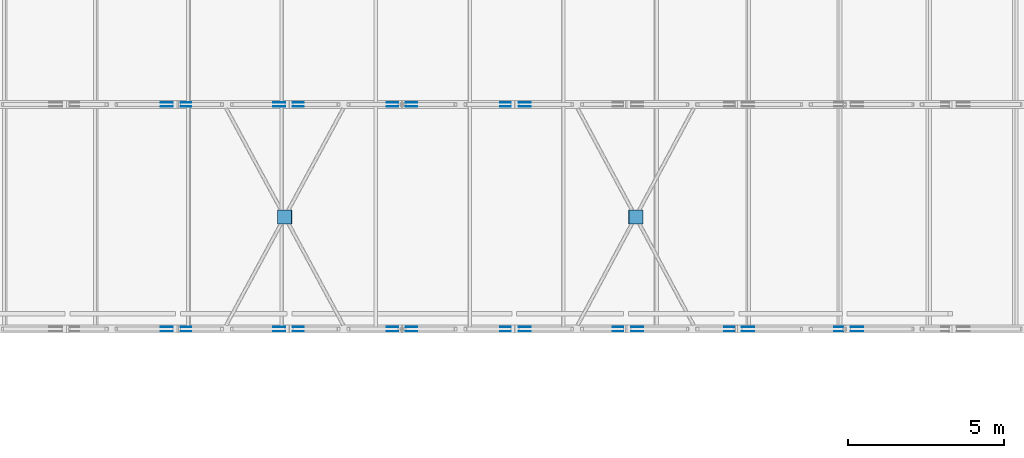
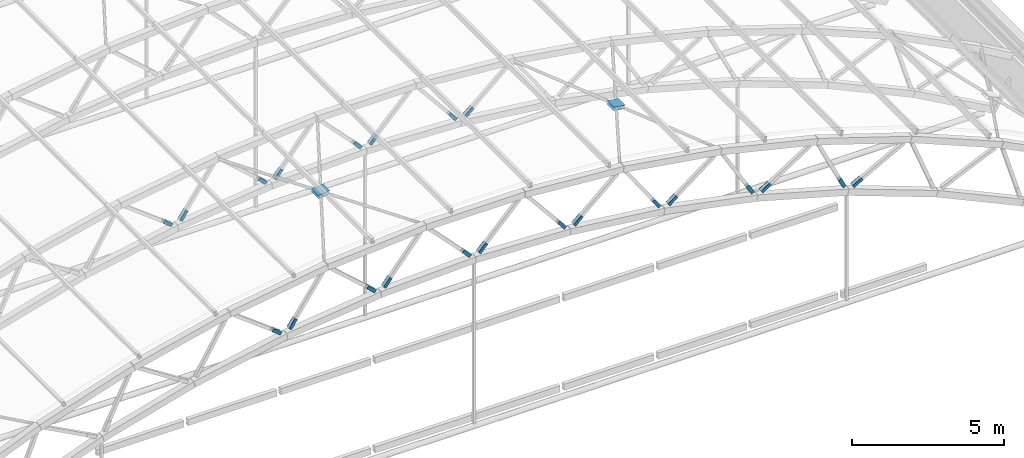
# One storey, part 86 of 127: 48 discrete accessories.
"""IFC4 building model written with IfcOpenShell, lengths in metres."""

from ifc_helpers import new_model, si_unit, direction, frame, origin, origin_2d, place, context, subcontext, project, spatial, rectangle, extrude, material, material_profile, profile_set, type_object, element, save


model = new_model("IFC4")

# Units and contexts
model_context = context("Model", 3, precision=1e-05, world=origin(), true_north=direction((0.0, 1.0)))
body_context = subcontext(model_context, "Body", "Model", "MODEL_VIEW")
ifc_project = project(units=[si_unit("LENGTHUNIT", "METRE"), si_unit("AREAUNIT", "SQUARE_METRE"), si_unit("VOLUMEUNIT", "CUBIC_METRE"), si_unit("PLANEANGLEUNIT", "RADIAN"), si_unit("MASSUNIT", "GRAM", prefix="KILO")], contexts=[model_context])

# Site, building, storey
site_placement = place(None, origin())
site = spatial("IfcSite", under=ifc_project, at=site_placement, CompositionType="ELEMENT")
building_placement = place(site_placement, origin())
building = spatial("IfcBuilding", under=site, at=building_placement, Name="Verrick Yard Athletic Hall", CompositionType="ELEMENT")
storey_placement = place(building_placement, frame((0.0, 0.0, 14.0)))
storey = spatial("IfcBuildingStorey", under=building, at=storey_placement, Name="L03", CompositionType="ELEMENT", Elevation=14.0)

# Discrete accessories
ifc_material = material(Name="Structural steel 350W (CSA G40.21)", Category="steel")
ifc_material_profile_1 = material_profile(ifc_material, rectangle(XDim=0.39990234375, YDim=0.126953125, at=origin_2d()), Name="Brace end cheek plate")
ifc_profile_set_1 = profile_set([ifc_material_profile_1], Name="Structural steel 350W (CSA G40.21)")
discrete_accessory_type_1 = type_object("IfcDiscreteAccessoryType", Name="Brace end cheek plate 400x127x12", PredefinedType="BRACKET", material=ifc_profile_set_1)
for number, where, z_axis, x_axis, name in (
    (1, (44.458251953125, 71.9365234375, 6.464111328125), (0.0, -1.0, 0.0), (-0.796193473644, 0.0, 0.605042108061), "Truss web end plate TB1-10 1"),
    (2, (44.458251953125, 72.0634765625, 6.464111328125), (0.0, 1.0, 0.0), (-0.796193473644, 0.0, 0.605042108061), "Truss web end plate TB1-10 2"),
    (3, (45.07177734375, 72.0634765625, 6.56103515625), (0.0, 1.0, 0.0), (0.570674326681, 0.0, 0.821176480951), "Truss web end plate TB1-11 1"),
    (4, (45.07177734375, 71.9365234375, 6.56103515625), (0.0, -1.0, 0.0), (0.570674326681, 0.0, 0.821176480951), "Truss web end plate TB1-11 2"),
    (5, (48.061767578125, 71.9365234375, 6.91455078125), (0.0, -1.0, 0.0), (-0.746352356768, 0.0, 0.665551019492), "Truss web end plate TB1-12 1"),
    (6, (48.061767578125, 72.0634765625, 6.91455078125), (0.0, 1.0, 0.0), (-0.746352356768, 0.0, 0.665551019492), "Truss web end plate TB1-12 2"),
    (7, (48.680908203125, 72.0634765625, 6.963134765625), (0.0, 1.0, 0.0), (0.633245761862, 0.0, 0.773950776913), "Truss web end plate TB1-13 1"),
    (8, (48.680908203125, 71.9365234375, 6.963134765625), (0.0, -1.0, 0.0), (0.633245761862, 0.0, 0.773950776913), "Truss web end plate TB1-13 2"),
    (9, (51.689453125, 71.9365234375, 7.0810546875), (0.0, -1.0, 0.0), (-0.691925275628, 0.0, 0.721969121879), "Truss web end plate TB1-14 1"),
    (10, (51.689453125, 72.0634765625, 7.0810546875), (0.0, 1.0, 0.0), (-0.691925275628, 0.0, 0.721969121879), "Truss web end plate TB1-14 2"),
    (11, (52.310546875, 72.0634765625, 7.0810546875), (0.0, 1.0, 0.0), (0.691925275628, 0.0, 0.721969121879), "Truss web end plate TB1-15 1"),
    (12, (52.310546875, 71.9365234375, 7.0810546875), (0.0, -1.0, 0.0), (0.691925275628, 0.0, 0.721969121879), "Truss web end plate TB1-15 2"),
    (13, (55.319091796875, 71.9365234375, 6.963134765625), (0.0, -1.0, 0.0), (-0.633245761862, 0.0, 0.773950776913), "Truss web end plate TB1-16 1"),
    (14, (55.319091796875, 72.0634765625, 6.963134765625), (0.0, 1.0, 0.0), (-0.633245761862, 0.0, 0.773950776913), "Truss web end plate TB1-16 2"),
    (15, (55.938232421875, 72.0634765625, 6.91455078125), (0.0, 1.0, 0.0), (0.746352356768, 0.0, 0.665551019492), "Truss web end plate TB1-17 1"),
    (16, (55.938232421875, 71.9365234375, 6.91455078125), (0.0, -1.0, 0.0), (0.746352356768, 0.0, 0.665551019492), "Truss web end plate TB1-17 2"),
    (17, (58.92822265625, 71.9365234375, 6.56103515625), (0.0, -1.0, 0.0), (-0.570674326681, 0.0, 0.821176480951), "Truss web end plate TB1-18 1"),
    (18, (58.92822265625, 72.0634765625, 6.56103515625), (0.0, 1.0, 0.0), (-0.570674326681, 0.0, 0.821176480951), "Truss web end plate TB1-18 2"),
    (19, (59.541748046875, 72.0634765625, 6.464111328125), (0.0, 1.0, 0.0), (0.796193473644, 0.0, 0.605042108061), "Truss web end plate TB1-19 1"),
    (20, (59.541748046875, 71.9365234375, 6.464111328125), (0.0, -1.0, 0.0), (0.796193473644, 0.0, 0.605042108061), "Truss web end plate TB1-19 2"),
    (21, (62.494873046875, 71.9365234375, 5.877685546875), (0.0, -1.0, 0.0), (-0.504596608522, 0.0, 0.863355235502), "Truss web end plate TB1-20 1"),
    (22, (62.494873046875, 72.0634765625, 5.877685546875), (0.0, 1.0, 0.0), (-0.504596608522, 0.0, 0.863355235502), "Truss web end plate TB1-20 2"),
    (23, (63.098876953125, 72.0634765625, 5.73291015625), (0.0, 1.0, 0.0), (0.841141186405, 0.0, 0.540815591984), "Truss web end plate TB1-21 1"),
    (24, (63.098876953125, 71.9365234375, 5.73291015625), (0.0, -1.0, 0.0), (0.841141186405, 0.0, 0.540815591984), "Truss web end plate TB1-21 2"),
    (25, (65.9970703125, 71.9365234375, 4.9169921875), (0.0, -1.0, 0.0), (-0.435417263932, 0.0, 0.90022875219), "Truss web end plate TB1-22 1"),
    (26, (65.9970703125, 72.0634765625, 4.9169921875), (0.0, 1.0, 0.0), (-0.435417263932, 0.0, 0.90022875219), "Truss web end plate TB1-22 2"),
    (27, (66.587890625, 72.0634765625, 4.725341796875), (0.0, 1.0, 0.0), (0.880919955637, 0.0, 0.473265286876), "Truss web end plate TB1-23 1"),
    (28, (66.587890625, 71.9365234375, 4.725341796875), (0.0, -1.0, 0.0), (0.880919955637, 0.0, 0.473265286876), "Truss web end plate TB1-23 2"),
    (29, (44.458251953125, 79.136474609375, 6.464111328125), (0.0, -1.0, 0.0), (-0.796193473644, 0.0, 0.605042108061), "Truss web end plate TB2-10 1"),
    (30, (44.458251953125, 79.263427734375, 6.464111328125), (0.0, 1.0, 0.0), (-0.796193473644, 0.0, 0.605042108061), "Truss web end plate TB2-10 2"),
    (31, (45.07177734375, 79.263427734375, 6.56103515625), (0.0, 1.0, 0.0), (0.570674326681, 0.0, 0.821176480951), "Truss web end plate TB2-11 1"),
    (32, (45.07177734375, 79.136474609375, 6.56103515625), (0.0, -1.0, 0.0), (0.570674326681, 0.0, 0.821176480951), "Truss web end plate TB2-11 2"),
    (33, (48.061767578125, 79.136474609375, 6.91455078125), (0.0, -1.0, 0.0), (-0.746352356768, 0.0, 0.665551019492), "Truss web end plate TB2-12 1"),
    (34, (48.061767578125, 79.263427734375, 6.91455078125), (0.0, 1.0, 0.0), (-0.746352356768, 0.0, 0.665551019492), "Truss web end plate TB2-12 2"),
    (35, (48.680908203125, 79.263427734375, 6.963134765625), (0.0, 1.0, 0.0), (0.633245761862, 0.0, 0.773950776913), "Truss web end plate TB2-13 1"),
    (36, (48.680908203125, 79.136474609375, 6.963134765625), (0.0, -1.0, 0.0), (0.633245761862, 0.0, 0.773950776913), "Truss web end plate TB2-13 2"),
    (37, (51.689453125, 79.136474609375, 7.0810546875), (0.0, -1.0, 0.0), (-0.691925275628, 0.0, 0.721969121879), "Truss web end plate TB2-14 1"),
    (38, (51.689453125, 79.263427734375, 7.0810546875), (0.0, 1.0, 0.0), (-0.691925275628, 0.0, 0.721969121879), "Truss web end plate TB2-14 2"),
    (39, (52.310546875, 79.263427734375, 7.0810546875), (0.0, 1.0, 0.0), (0.691925275628, 0.0, 0.721969121879), "Truss web end plate TB2-15 1"),
    (40, (52.310546875, 79.136474609375, 7.0810546875), (0.0, -1.0, 0.0), (0.691925275628, 0.0, 0.721969121879), "Truss web end plate TB2-15 2"),
    (41, (55.319091796875, 79.136474609375, 6.963134765625), (0.0, -1.0, 0.0), (-0.633245761862, 0.0, 0.773950776913), "Truss web end plate TB2-16 1"),
    (42, (55.319091796875, 79.263427734375, 6.963134765625), (0.0, 1.0, 0.0), (-0.633245761862, 0.0, 0.773950776913), "Truss web end plate TB2-16 2"),
    (43, (55.938232421875, 79.263427734375, 6.91455078125), (0.0, 1.0, 0.0), (0.746352356768, 0.0, 0.665551019492), "Truss web end plate TB2-17 1"),
    (44, (55.938232421875, 79.136474609375, 6.91455078125), (0.0, -1.0, 0.0), (0.746352356768, 0.0, 0.665551019492), "Truss web end plate TB2-17 2"),
):
    element("IfcDiscreteAccessory", number, at=place(storey_placement, frame(where, z_axis=z_axis, x_axis=x_axis)), inside=storey, type_object=discrete_accessory_type_1, Name=name, PredefinedType="BRACKET", context=body_context, shape_type="SweptSolid", body=[
        extrude(rectangle(XDim=0.39990234375, YDim=0.126953125, at=origin_2d()), origin(), (0.0, 0.0, 1.0), 0.011962890625),
    ])
ifc_material_profile_2 = material_profile(ifc_material, rectangle(XDim=0.449951171875, YDim=0.449951171875, at=origin_2d()), Name="Brace node plate")
ifc_profile_set_2 = profile_set([ifc_material_profile_2], Name="Structural steel 350W (CSA G40.21)")
discrete_accessory_type_2 = type_object("IfcDiscreteAccessoryType", Name="Brace node plate 450x450x12", PredefinedType="BRACKET", material=ifc_profile_set_2)
for number, where, z_axis, x_axis, name in (
    (45, (48.247314453125, 75.60009765625, 8.515869140625), (0.081362009455, 0.0, -0.996684615823), (0.0, 1.0, 0.0), "Brace node plate B1-5 1"),
    (46, (48.238525390625, 75.60009765625, 8.6298828125), (-0.081362009455, 0.0, 0.996684615823), (0.0, -1.0, 0.0), "Brace node plate B1-5 2"),
    (47, (59.482177734375, 75.60009765625, 8.0751953125), (-0.164398987305, 0.0, -0.986393923832), (0.0, -1.0, 0.0), "Brace node plate B1-8 1"),
    (48, (59.5, 75.60009765625, 8.188232421875), (0.164398987305, 0.0, 0.986393923832), (0.0, 1.0, 0.0), "Brace node plate B1-8 2"),
):
    element("IfcDiscreteAccessory", number, at=place(storey_placement, frame(where, z_axis=z_axis, x_axis=x_axis)), inside=storey, type_object=discrete_accessory_type_2, Name=name, PredefinedType="BRACKET", context=body_context, shape_type="SweptSolid", body=[
        extrude(rectangle(XDim=0.449951171875, YDim=0.449951171875, at=origin_2d()), origin(), (0.0, 0.0, 1.0), 0.011962890625),
    ])

save(model, "model.ifc")
